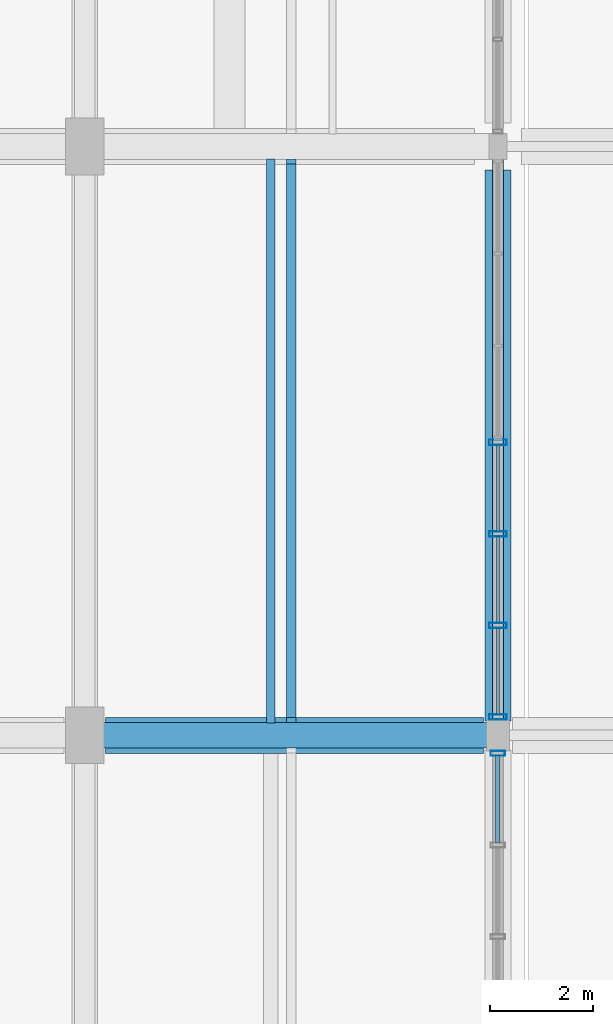
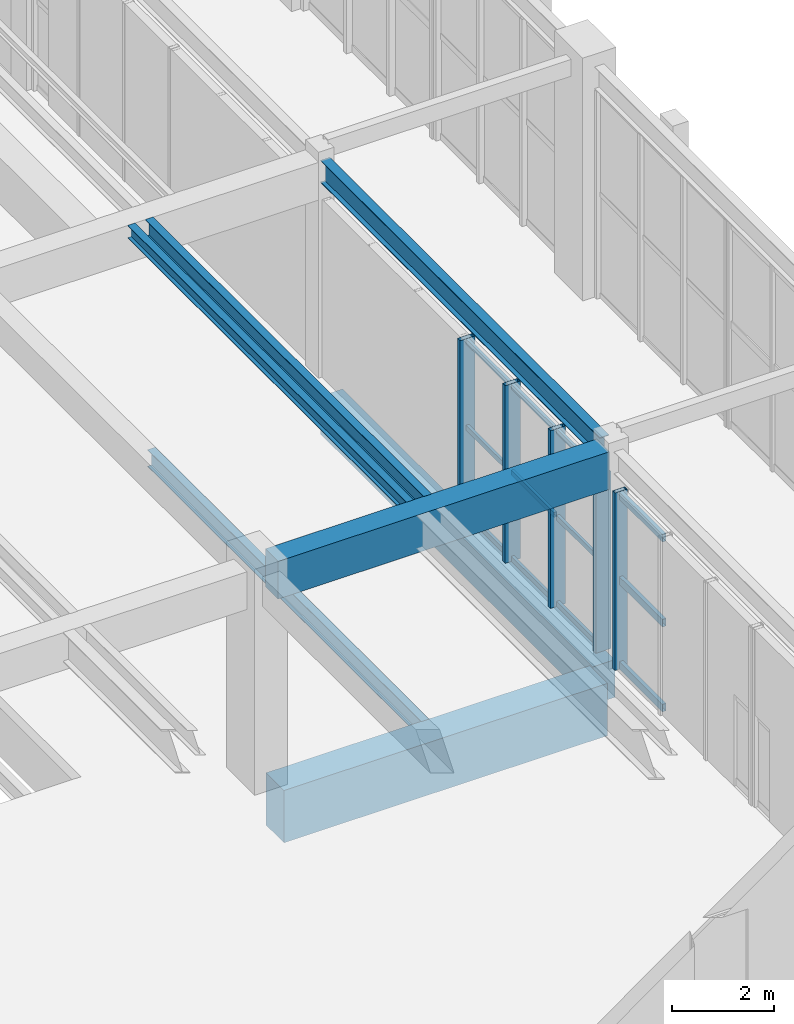
# One storey, part 34 of 113: 17 members, 7 beams, 2 elements without a shape of their own.
"""IFC4 building model written with IfcOpenShell, lengths in metres."""

import ifcopenshell
import ifcopenshell.guid

model = None  # the IFC model being written
_history = None  # IfcOwnerHistory: only IFC2X3 demands one
_inside = {}  # id of a spatial element -> (the spatial element, [elements in it])
_under = {}  # id of a project, library or spatial element -> (it, [spatial elements below it])
_declared = {}  # id of a project -> (the project, [libraries it declares])
_typed = {}  # id of a type object -> (the type object, [elements of that type])
_made_of = {}  # id of a material, layer set ... -> (it, [elements and type objects made of it])


def new_model(schema):
    """Start an empty IFC model of exactly this schema.

    Asked for "IFC4X3", IfcOpenShell would pick the latest addendum, in which some entities
    have other attributes; the version numbers below select the first issue.
    IFC2X3 requires an IfcOwnerHistory on every rooted entity: one is made here for all.
    """
    global model, _history
    if schema == "IFC4X3":
        model = ifcopenshell.file(schema_version=(4, 3, 0, 0))
    else:
        model = ifcopenshell.file(schema=schema)
    _inside.clear()
    _under.clear()
    _declared.clear()
    _typed.clear()
    _made_of.clear()
    _history = None
    if model.schema == "IFC2X3":
        org = make("IfcOrganization", Name="unknown")
        user = make(
            "IfcPersonAndOrganization",
            ThePerson=make("IfcPerson", FamilyName="unknown"),
            TheOrganization=org,
        )
        app = make(
            "IfcApplication",
            ApplicationDeveloper=org,
            Version="unknown",
            ApplicationFullName="unknown",
            ApplicationIdentifier="unknown",
        )
        _history = make(
            "IfcOwnerHistory",
            OwningUser=user,
            OwningApplication=app,
            ChangeAction="ADDED",
            CreationDate=0,
        )
    return model


def make(cls, **values):
    """One entity of the class cls with the attributes given. An attribute that is None is left unset."""
    return model.create_entity(
        cls, **{name: value for name, value in values.items() if value is not None}
    )


def rooted(cls, **values):
    """An entity with a GlobalId (a new one), such as an element, a storey or a relation."""
    return make(cls, GlobalId=ifcopenshell.guid.new(), OwnerHistory=_history, **values)


def si_unit(unit_type, name, prefix=None):
    """IfcSIUnit, for example si_unit("LENGTHUNIT", "METRE", prefix="MILLI")."""
    return make("IfcSIUnit", UnitType=unit_type, Prefix=prefix, Name=name)


def assignment(units):
    """IfcUnitAssignment: the units of a project."""
    return None if units is None else make("IfcUnitAssignment", Units=units)


def point(xyz):
    """IfcCartesianPoint."""
    return None if xyz is None else make("IfcCartesianPoint", Coordinates=xyz)


def direction(xyz):
    """IfcDirection."""
    return None if xyz is None else make("IfcDirection", DirectionRatios=xyz)


def frame(location, z_axis=None, x_axis=None):
    """IfcAxis2Placement3D, a coordinate frame: its origin and axes. An axis left out is left unset."""
    return make(
        "IfcAxis2Placement3D",
        Location=point(location),
        Axis=direction(z_axis),
        RefDirection=direction(x_axis),
    )


def frame_2d(location, x_axis=None):
    """IfcAxis2Placement2D, a coordinate frame in the plane: its origin and x axis."""
    return make(
        "IfcAxis2Placement2D", Location=point(location), RefDirection=direction(x_axis)
    )


def origin():
    """The frame at (0, 0, 0) with its axes left unset."""
    return frame((0.0, 0.0, 0.0))


def origin_2d():
    """The frame at (0, 0) in the plane with its x axis left unset."""
    return frame_2d((0.0, 0.0))


def place(relative_to, where):
    """IfcLocalPlacement: puts the frame where relative to a parent placement (None: the world)."""
    return make(
        "IfcLocalPlacement", PlacementRelTo=relative_to, RelativePlacement=where
    )


def context(
    kind, dimensions, precision=None, world=None, true_north=None, identifier=None
):
    """IfcGeometricRepresentationContext, for example the 3D "Model" context."""
    return make(
        "IfcGeometricRepresentationContext",
        ContextIdentifier=identifier,
        ContextType=kind,
        CoordinateSpaceDimension=dimensions,
        Precision=precision,
        WorldCoordinateSystem=world,
        TrueNorth=true_north,
    )


def subcontext(parent, identifier, kind, view, scale=None):
    """IfcGeometricRepresentationSubContext, for example "Body" below "Model"."""
    return make(
        "IfcGeometricRepresentationSubContext",
        ContextIdentifier=identifier,
        ContextType=kind,
        ParentContext=parent,
        TargetScale=scale,
        TargetView=view,
    )


def project(units=None, contexts=None):
    """IfcProject with its units and contexts."""
    return rooted(
        "IfcProject",
        Name="project",
        RepresentationContexts=contexts,
        UnitsInContext=assignment(units),
    )


def spatial(cls, under=None, at=None, **own):
    """A site, building, storey or space (cls), placed at a placement, below another one or the project."""
    s = rooted(cls, ObjectPlacement=at, **own)
    if under is not None:
        _under.setdefault(under.id(), (under, []))[1].append(s)
    return s


def profile(cls, at=None, kind="AREA", **sizes):
    """A parametric profile (cls). Its sizes go by their IFC names, for example OverallWidth=200.0."""
    return make(cls, ProfileType=kind, Position=at, **sizes)


def rectangle(**sizes):
    """IfcRectangleProfileDef."""
    return profile("IfcRectangleProfileDef", **sizes)


def hollow_rectangle(**sizes):
    """IfcRectangleHollowProfileDef."""
    return profile("IfcRectangleHollowProfileDef", **sizes)


def i_section(**sizes):
    """IfcIShapeProfileDef."""
    return profile("IfcIShapeProfileDef", **sizes)


def extrude(swept, where, along, depth):
    """IfcExtrudedAreaSolid: the profile swept, set in the frame where, extruded along a direction by depth."""
    return make(
        "IfcExtrudedAreaSolid",
        SweptArea=swept,
        Position=where,
        ExtrudedDirection=direction(along),
        Depth=depth,
    )


def shape(context_of_items, identifier, shape_type, items):
    """IfcShapeRepresentation: the items that make up one representation, for example the "Body"."""
    return make(
        "IfcShapeRepresentation",
        ContextOfItems=context_of_items,
        RepresentationIdentifier=identifier,
        RepresentationType=shape_type,
        Items=items,
    )


def material(Name=None, Category=None):
    """IfcMaterial."""
    return make("IfcMaterial", Name=Name, Category=Category)


def layer(
    of_material, thickness, ventilated=None, Name=None, Category=None, Priority=None
):
    """IfcMaterialLayer: one layer of a wall or slab, of a material (None: an air gap)."""
    return make(
        "IfcMaterialLayer",
        Material=of_material,
        LayerThickness=thickness,
        IsVentilated=ventilated,
        Name=Name,
        Category=Category,
        Priority=Priority,
    )


def layer_set(layers, Name=None):
    """IfcMaterialLayerSet."""
    return make("IfcMaterialLayerSet", MaterialLayers=layers, LayerSetName=Name)


def material_profile(
    of_material, cross_section, Name=None, Category=None, Priority=None
):
    """IfcMaterialProfile: a cross section and its material."""
    return make(
        "IfcMaterialProfile",
        Name=Name,
        Material=of_material,
        Profile=cross_section,
        Priority=Priority,
        Category=Category,
    )


def profile_set(profiles, Name=None, composite=None):
    """IfcMaterialProfileSet."""
    return make(
        "IfcMaterialProfileSet",
        Name=Name,
        MaterialProfiles=profiles,
        CompositeProfile=composite,
    )


def made_of(thing, what):
    """Note that an element or type object is made of a material, layer set ...; save() writes the relation."""
    if what is not None:
        _made_of.setdefault(what.id(), (what, []))[1].append(thing)
    return thing


def type_object(cls, material=None, **own):
    """A type object (cls), such as IfcWallType, which elements share."""
    return made_of(rooted(cls, **own), material)


def element(
    cls,
    number,
    at=None,
    inside=None,
    cuts=None,
    type_object=None,
    material=None,
    context=None,
    identifier="Body",
    shape_type=None,
    held_by="IfcProductDefinitionShape",
    body=None,
    shapes=None,
    **own,
):
    """One element of the class cls, such as IfcWall. Its Tag is "e" and its number.

    at: its placement. inside: the storey or other place that contains it. cuts: it is an
    opening in that element (IfcRelVoidsElement). A single representation is given by context,
    identifier, shape_type and body (its items); several are given by shapes. held_by: the class
    of the entity that holds the representations. save() writes the other relations.
    """
    e = rooted(cls, Tag="e%d" % number, ObjectPlacement=at, **own)
    if body is not None:
        shapes = [shape(context, identifier, shape_type, body)]
    if shapes is not None:
        e.Representation = make(held_by, Representations=shapes)
    if inside is not None:
        _inside.setdefault(inside.id(), (inside, []))[1].append(e)
    if cuts is not None:
        rooted(
            "IfcRelVoidsElement", RelatingBuildingElement=cuts, RelatedOpeningElement=e
        )
    if type_object is not None:
        _typed.setdefault(type_object.id(), (type_object, []))[1].append(e)
    return made_of(e, material)


def aggregate(whole, parts):
    """IfcRelAggregates: a whole, such as a stair, and the parts it consists of."""
    return rooted("IfcRelAggregates", RelatingObject=whole, RelatedObjects=parts)


def save(model, path):
    """Write the relations noted so far, then the file.

    IfcRelAggregates (storeys below a building ...), IfcRelContainedInSpatialStructure (elements
    in a storey), IfcRelDefinesByType, IfcRelAssociatesMaterial and IfcRelDeclares: one each for
    every whole, place, type object, material and project.
    """
    for whole, parts in _under.values():
        aggregate(whole, parts)
    for where, things in _inside.values():
        rooted(
            "IfcRelContainedInSpatialStructure",
            RelatedElements=things,
            RelatingStructure=where,
        )
    for kind, things in _typed.values():
        rooted("IfcRelDefinesByType", RelatedObjects=things, RelatingType=kind)
    for what, things in _made_of.values():
        rooted("IfcRelAssociatesMaterial", RelatedObjects=things, RelatingMaterial=what)
    for by, libraries in _declared.values():
        rooted("IfcRelDeclares", RelatingContext=by, RelatedDefinitions=libraries)
    model.write(path)


model = new_model("IFC4")

# Units and contexts
model_context = context("Model", 3, precision=1e-05, world=origin(), true_north=direction((0.0, 1.0)))
body_context = subcontext(model_context, "Body", "Model", "MODEL_VIEW")
ifc_project = project(units=[si_unit("LENGTHUNIT", "METRE"), si_unit("AREAUNIT", "SQUARE_METRE"), si_unit("VOLUMEUNIT", "CUBIC_METRE"), si_unit("PLANEANGLEUNIT", "RADIAN"), si_unit("MASSUNIT", "GRAM", prefix="KILO"), si_unit("POWERUNIT", "WATT"), si_unit("THERMODYNAMICTEMPERATUREUNIT", "KELVIN")], contexts=[model_context])

# Site, building, storey
site_placement = place(None, origin())
site = spatial("IfcSite", under=ifc_project, at=site_placement, CompositionType="ELEMENT")
building_placement = place(site_placement, origin())
building = spatial("IfcBuilding", under=site, at=building_placement, Name="Kelmbourne Parkland Aquatics Centre", CompositionType="ELEMENT")
storey_placement = place(building_placement, origin())
storey = spatial("IfcBuildingStorey", under=building, at=storey_placement, Name="L00", CompositionType="ELEMENT", Elevation=0.0)

# Beams
ifc_material_1 = material(Name="Concrete C40/50", Category="concrete")
ifc_material_profile_1 = material_profile(ifc_material_1, rectangle(XDim=0.5, YDim=0.89990234375, at=origin_2d()), Name="RC 500x900")
ifc_profile_set_1 = profile_set([ifc_material_profile_1], Name="Concrete C40/50")
beam_type_1 = type_object("IfcBeamType", Name="BM-G03", PredefinedType="BEAM", material=ifc_profile_set_1)
beam_1_placement = place(storey_placement, frame((40.0, 58.080078125, -0.72998046875), z_axis=(0.0, 1.0, 0.0), x_axis=(-1.0, 0.0, 0.0)))
element("IfcBeam", 1, at=beam_1_placement, inside=storey, type_object=beam_type_1, Name="Primary girder 08-10 Grid F (L00)", PredefinedType="BEAM", context=body_context, shape_type="SweptSolid", body=[
    extrude(rectangle(XDim=0.5, YDim=0.89990234375, at=origin_2d()), origin(), (0.0, 0.0, 1.0), 10.6650390625),
])
beam_2_placement = place(storey_placement, frame((32.330078125, 57.800048828125, 4.7099609375), z_axis=(1.0, 0.0, 0.0), x_axis=(0.0, 1.0, 0.0)))
element("IfcBeam", 2, at=beam_2_placement, inside=storey, type_object=beam_type_1, Name="Primary girder E-F Grid 08 (L01)", PredefinedType="BEAM", context=body_context, shape_type="SweptSolid", body=[
    extrude(rectangle(XDim=0.5, YDim=0.89990234375, at=origin_2d()), origin(), (0.0, 0.0, 1.0), 7.489990234375),
])
ifc_material_2 = material(Name="Concrete C50/60", Category="concrete")
ifc_material_profile_2 = material_profile(ifc_material_2, rectangle(XDim=0.699951171875, YDim=1.25, at=origin_2d()), Name="RC 700x1250")
ifc_profile_set_2 = profile_set([ifc_material_profile_2], Name="Concrete C50/60")
beam_type_2 = type_object("IfcBeamType", Name="BM-G08", PredefinedType="BEAM", material=ifc_profile_set_2)
beam_3_placement = place(storey_placement, frame((32.405029296875, 57.800048828125, -0.905029296875), z_axis=(1.0, 0.0, 0.0), x_axis=(0.0, 1.0, 0.0)))
element("IfcBeam", 3, at=beam_3_placement, inside=storey, type_object=beam_type_2, Name="Primary girder E-F Grid 08 (L00)", PredefinedType="BEAM", context=body_context, shape_type="SweptSolid", body=[
    extrude(rectangle(XDim=0.699951171875, YDim=1.25, at=origin_2d()), origin(), (0.0, 0.0, 1.0), 7.31494140625),
])
ifc_material_3 = material(Name="Structural steel AS/NZS 3679.1 Grade 300", Category="steel")
ifc_material_profile_3 = material_profile(ifc_material_3, i_section(OverallWidth=0.177978515625, OverallDepth=0.406005859375, WebThickness=0.0078125, FlangeThickness=0.0126953125, at=origin_2d()), Name="410UB59.7")
ifc_profile_set_3 = profile_set([ifc_material_profile_3], Name="Structural steel AS/NZS 3679.1 Grade 300")
beam_type_3 = type_object("IfcBeamType", Name="BM-J01", PredefinedType="JOIST", material=ifc_profile_set_3)
beam_4_placement = place(storey_placement, frame((36.0, 58.14208984375, -0.48291015625), z_axis=(0.0, 1.0, 0.0), x_axis=(-1.0, 0.0, 0.0)))
element("IfcBeam", 4, at=beam_4_placement, inside=storey, type_object=beam_type_3, Name="Secondary floor joist E-F/08-10 #1 (L00)", PredefinedType="JOIST", context=body_context, shape_type="SweptSolid", body=[
    extrude(i_section(OverallWidth=0.177978515625, OverallDepth=0.406005859375, WebThickness=0.0078125, FlangeThickness=0.0126953125, at=origin_2d()), origin(), (0.0, 0.0, 1.0), 10.7158203125),
])
beam_5_placement = place(storey_placement, frame((36.0, 58.0419921875, 4.95703125), z_axis=(0.0, 1.0, 0.0), x_axis=(-1.0, 0.0, 0.0)))
element("IfcBeam", 5, at=beam_5_placement, inside=storey, type_object=beam_type_3, Name="Secondary floor joist E-F/08-10 #1 (L01)", PredefinedType="JOIST", context=body_context, shape_type="SweptSolid", body=[
    extrude(i_section(OverallWidth=0.177978515625, OverallDepth=0.406005859375, WebThickness=0.0078125, FlangeThickness=0.0126953125, at=origin_2d()), origin(), (0.0, 0.0, 1.0), 10.916015625),
])
ifc_material_profile_4 = material_profile(ifc_material_3, i_section(OverallWidth=0.166015625, OverallDepth=0.306884765625, WebThickness=0.006591796875, FlangeThickness=0.01171875, at=origin_2d()), Name="310UB46.2")
ifc_profile_set_4 = profile_set([ifc_material_profile_4], Name="Structural steel AS/NZS 3679.1 Grade 300")
beam_type_4 = type_object("IfcBeamType", Name="BM-J04", PredefinedType="JOIST", material=ifc_profile_set_4)
beam_6_placement = place(storey_placement, frame((35.60009765625, 58.0419921875, 5.006591796875), z_axis=(0.0, 1.0, 0.0), x_axis=(-1.0, 0.0, 0.0)))
element("IfcBeam", 6, at=beam_6_placement, inside=storey, type_object=beam_type_4, Name="Deck secondary trim beam 13", PredefinedType="JOIST", context=body_context, shape_type="SweptSolid", body=[
    extrude(i_section(OverallWidth=0.166015625, OverallDepth=0.306884765625, WebThickness=0.006591796875, FlangeThickness=0.01171875, at=origin_2d()), origin(), (0.0, 0.0, 1.0), 10.916015625),
])
ifc_material_profile_5 = material_profile(ifc_material_3, i_section(OverallWidth=0.208984375, OverallDepth=0.532958984375, WebThickness=0.01025390625, FlangeThickness=0.015625, at=origin_2d()), Name="530UB92.4")
ifc_profile_set_5 = profile_set([ifc_material_profile_5], Name="Structural steel AS/NZS 3679.1 Grade 300")
beam_type_5 = type_object("IfcBeamType", Name="BM-SP02", PredefinedType="SPANDREL", material=ifc_profile_set_5)
beam_7_placement = place(storey_placement, frame((40.0, 58.054931640625, 4.8935546875), z_axis=(0.0, 1.0, 0.0), x_axis=(-1.0, 0.0, 0.0)))
element("IfcBeam", 7, at=beam_7_placement, inside=storey, type_object=beam_type_5, Name="Perimeter spandrel 08-10 Grid F (L01)", PredefinedType="SPANDREL", context=body_context, shape_type="SweptSolid", body=[
    extrude(i_section(OverallWidth=0.208984375, OverallDepth=0.532958984375, WebThickness=0.01025390625, FlangeThickness=0.015625, at=origin_2d()), origin(), (0.0, 0.0, 1.0), 10.940185546875),
])

# Curtain wall, member
ifc_material_4 = material(Name="Thermally broken anodised aluminium framing", Category="aluminium")
ifc_layer_1 = layer(ifc_material_4, 0.179931640625)
ifc_layer_set_1 = layer_set([ifc_layer_1], Name="Thermally broken anodised aluminium framing")
curtain_wall_type_1 = type_object("IfcCurtainWallType", Name="CW-02", PredefinedType="NOTDEFINED", material=ifc_layer_set_1)
curtain_wall_1_placement = place(storey_placement, origin())
curtain_wall_1 = element("IfcCurtainWall", 8, at=curtain_wall_1_placement, inside=storey, type_object=curtain_wall_type_1, Name="Facade curtain wall CW-L00-218", PredefinedType="NOTDEFINED")
ifc_material_profile_6 = material_profile(ifc_material_4, hollow_rectangle(XDim=0.094970703125, YDim=0.280029296875, WallThickness=0.005615234375, at=origin_2d()), Name="CW-M 95x280")
ifc_profile_set_6 = profile_set([ifc_material_profile_6], Name="Thermally broken anodised aluminium framing")
member_type_1 = type_object("IfcMemberType", Name="MB-MUL-4", PredefinedType="MULLION", material=ifc_profile_set_6)
member_1_placement = place(storey_placement, frame((40.0, 57.450439453125, 0.0), z_axis=(0.0, 0.0, 1.0), x_axis=(0.0, 1.0, 0.0)))
member_1 = element("IfcMember", 9, at=member_1_placement, type_object=member_type_1, Name="CW-L00-218 mullion 3", PredefinedType="MULLION", context=body_context, shape_type="SweptSolid", body=[
    extrude(hollow_rectangle(XDim=0.094970703125, YDim=0.280029296875, WallThickness=0.005615234375, at=origin_2d()), origin(), (0.0, 0.0, 1.0), 4.2451171875),
])

# Curtain wall, members
ifc_layer_2 = layer(ifc_material_4, 0.179931640625)
ifc_layer_set_2 = layer_set([ifc_layer_2], Name="Thermally broken anodised aluminium framing")
curtain_wall_type_2 = type_object("IfcCurtainWallType", Name="CW-03", PredefinedType="NOTDEFINED", material=ifc_layer_set_2)
curtain_wall_2_placement = place(storey_placement, origin())
curtain_wall_2 = element("IfcCurtainWall", 10, at=curtain_wall_2_placement, inside=storey, type_object=curtain_wall_type_2, Name="Facade curtain wall CW-L00-219", PredefinedType="NOTDEFINED")
ifc_material_profile_7 = material_profile(ifc_material_4, hollow_rectangle(XDim=0.10498046875, YDim=0.340087890625, WallThickness=0.006103515625, at=origin_2d()), Name="CW-M 105x340")
ifc_profile_set_7 = profile_set([ifc_material_profile_7], Name="Thermally broken anodised aluminium framing")
member_type_2 = type_object("IfcMemberType", Name="MB-MUL-5", PredefinedType="MULLION", material=ifc_profile_set_7)
member_2_placement = place(storey_placement, frame((40.0, 58.154541015625, 0.0), z_axis=(0.0, 0.0, 1.0), x_axis=(0.0, 1.0, 0.0)))
member_2 = element("IfcMember", 11, at=member_2_placement, type_object=member_type_2, Name="CW-L00-219 mullion 0", PredefinedType="MULLION", context=body_context, shape_type="SweptSolid", body=[
    extrude(hollow_rectangle(XDim=0.10498046875, YDim=0.340087890625, WallThickness=0.006103515625, at=origin_2d()), origin(), (0.0, 0.0, 1.0), 4.2451171875),
])
member_3_placement = place(storey_placement, frame((40.0, 59.92724609375, 0.0), z_axis=(0.0, 0.0, 1.0), x_axis=(0.0, 1.0, 0.0)))
member_3 = element("IfcMember", 12, at=member_3_placement, type_object=member_type_2, Name="CW-L00-219 mullion 1", PredefinedType="MULLION", context=body_context, shape_type="SweptSolid", body=[
    extrude(hollow_rectangle(XDim=0.10498046875, YDim=0.340087890625, WallThickness=0.006103515625, at=origin_2d()), origin(), (0.0, 0.0, 1.0), 4.2451171875),
])
member_4_placement = place(storey_placement, frame((40.0, 61.69970703125, 0.0), z_axis=(0.0, 0.0, 1.0), x_axis=(0.0, 1.0, 0.0)))
member_4 = element("IfcMember", 13, at=member_4_placement, type_object=member_type_2, Name="CW-L00-219 mullion 2", PredefinedType="MULLION", context=body_context, shape_type="SweptSolid", body=[
    extrude(hollow_rectangle(XDim=0.10498046875, YDim=0.340087890625, WallThickness=0.006103515625, at=origin_2d()), origin(), (0.0, 0.0, 1.0), 4.2451171875),
])
member_5_placement = place(storey_placement, frame((40.0, 63.472412109375, 0.0), z_axis=(0.0, 0.0, 1.0), x_axis=(0.0, 1.0, 0.0)))
member_5 = element("IfcMember", 14, at=member_5_placement, type_object=member_type_2, Name="CW-L00-219 mullion 3", PredefinedType="MULLION", context=body_context, shape_type="SweptSolid", body=[
    extrude(hollow_rectangle(XDim=0.10498046875, YDim=0.340087890625, WallThickness=0.006103515625, at=origin_2d()), origin(), (0.0, 0.0, 1.0), 4.2451171875),
])
ifc_material_profile_8 = material_profile(ifc_material_4, hollow_rectangle(XDim=0.06494140625, YDim=0.1201171875, WallThickness=0.00341796875, at=origin_2d()), Name="CW-T 65x120")
ifc_profile_set_8 = profile_set([ifc_material_profile_8], Name="Thermally broken anodised aluminium framing")
member_type_3 = type_object("IfcMemberType", Name="MB-TRN-1", PredefinedType="USERDEFINED", material=ifc_profile_set_8)
member_6_placement = place(storey_placement, frame((40.0, 58.202880859375, 0.06298828125), z_axis=(0.0, 1.0, 0.0), x_axis=(-1.0, 0.0, 0.0)))
member_6 = element("IfcMember", 15, at=member_6_placement, type_object=member_type_3, Name="CW-L00-219 transom 0-0", ObjectType="TRANSOM", PredefinedType="USERDEFINED", context=body_context, shape_type="SweptSolid", body=[
    extrude(hollow_rectangle(XDim=0.06494140625, YDim=0.1201171875, WallThickness=0.00341796875, at=origin_2d()), origin(), (0.0, 0.0, 1.0), 1.67578125),
])
member_7_placement = place(storey_placement, frame((40.0, 59.9755859375, 0.06298828125), z_axis=(0.0, 1.0, 0.0), x_axis=(-1.0, 0.0, 0.0)))
member_7 = element("IfcMember", 16, at=member_7_placement, type_object=member_type_3, Name="CW-L00-219 transom 0-1", ObjectType="TRANSOM", PredefinedType="USERDEFINED", context=body_context, shape_type="SweptSolid", body=[
    extrude(hollow_rectangle(XDim=0.06494140625, YDim=0.1201171875, WallThickness=0.00341796875, at=origin_2d()), origin(), (0.0, 0.0, 1.0), 1.67578125),
])
member_8_placement = place(storey_placement, frame((40.0, 61.748291015625, 0.06298828125), z_axis=(0.0, 1.0, 0.0), x_axis=(-1.0, 0.0, 0.0)))
member_8 = element("IfcMember", 17, at=member_8_placement, type_object=member_type_3, Name="CW-L00-219 transom 0-2", ObjectType="TRANSOM", PredefinedType="USERDEFINED", context=body_context, shape_type="SweptSolid", body=[
    extrude(hollow_rectangle(XDim=0.06494140625, YDim=0.1201171875, WallThickness=0.00341796875, at=origin_2d()), origin(), (0.0, 0.0, 1.0), 1.67578125),
])
member_9_placement = place(storey_placement, frame((40.0, 58.202880859375, 2.12255859375), z_axis=(0.0, 1.0, 0.0), x_axis=(-1.0, 0.0, 0.0)))
member_9 = element("IfcMember", 18, at=member_9_placement, type_object=member_type_3, Name="CW-L00-219 transom 1-0", ObjectType="TRANSOM", PredefinedType="USERDEFINED", context=body_context, shape_type="SweptSolid", body=[
    extrude(hollow_rectangle(XDim=0.06494140625, YDim=0.1201171875, WallThickness=0.00341796875, at=origin_2d()), origin(), (0.0, 0.0, 1.0), 1.67578125),
])
member_10_placement = place(storey_placement, frame((40.0, 59.9755859375, 2.12255859375), z_axis=(0.0, 1.0, 0.0), x_axis=(-1.0, 0.0, 0.0)))
member_10 = element("IfcMember", 19, at=member_10_placement, type_object=member_type_3, Name="CW-L00-219 transom 1-1", ObjectType="TRANSOM", PredefinedType="USERDEFINED", context=body_context, shape_type="SweptSolid", body=[
    extrude(hollow_rectangle(XDim=0.06494140625, YDim=0.1201171875, WallThickness=0.00341796875, at=origin_2d()), origin(), (0.0, 0.0, 1.0), 1.67578125),
])
member_11_placement = place(storey_placement, frame((40.0, 61.748291015625, 2.12255859375), z_axis=(0.0, 1.0, 0.0), x_axis=(-1.0, 0.0, 0.0)))
member_11 = element("IfcMember", 20, at=member_11_placement, type_object=member_type_3, Name="CW-L00-219 transom 1-2", ObjectType="TRANSOM", PredefinedType="USERDEFINED", context=body_context, shape_type="SweptSolid", body=[
    extrude(hollow_rectangle(XDim=0.06494140625, YDim=0.1201171875, WallThickness=0.00341796875, at=origin_2d()), origin(), (0.0, 0.0, 1.0), 1.67578125),
])
member_12_placement = place(storey_placement, frame((40.0, 58.202880859375, 4.181884765625), z_axis=(0.0, 1.0, 0.0), x_axis=(-1.0, 0.0, 0.0)))
member_12 = element("IfcMember", 21, at=member_12_placement, type_object=member_type_3, Name="CW-L00-219 transom 2-0", ObjectType="TRANSOM", PredefinedType="USERDEFINED", context=body_context, shape_type="SweptSolid", body=[
    extrude(hollow_rectangle(XDim=0.06494140625, YDim=0.1201171875, WallThickness=0.00341796875, at=origin_2d()), origin(), (0.0, 0.0, 1.0), 1.67578125),
])
member_13_placement = place(storey_placement, frame((40.0, 59.9755859375, 4.181884765625), z_axis=(0.0, 1.0, 0.0), x_axis=(-1.0, 0.0, 0.0)))
member_13 = element("IfcMember", 22, at=member_13_placement, type_object=member_type_3, Name="CW-L00-219 transom 2-1", ObjectType="TRANSOM", PredefinedType="USERDEFINED", context=body_context, shape_type="SweptSolid", body=[
    extrude(hollow_rectangle(XDim=0.06494140625, YDim=0.1201171875, WallThickness=0.00341796875, at=origin_2d()), origin(), (0.0, 0.0, 1.0), 1.67578125),
])
member_14_placement = place(storey_placement, frame((40.0, 61.748291015625, 4.181884765625), z_axis=(0.0, 1.0, 0.0), x_axis=(-1.0, 0.0, 0.0)))
member_14 = element("IfcMember", 23, at=member_14_placement, type_object=member_type_3, Name="CW-L00-219 transom 2-2", ObjectType="TRANSOM", PredefinedType="USERDEFINED", context=body_context, shape_type="SweptSolid", body=[
    extrude(hollow_rectangle(XDim=0.06494140625, YDim=0.1201171875, WallThickness=0.00341796875, at=origin_2d()), origin(), (0.0, 0.0, 1.0), 1.67578125),
])
aggregate(curtain_wall_2, [member_2, member_3, member_4, member_5, member_6, member_7, member_8, member_9, member_10, member_11, member_12, member_13, member_14])

# Member
ifc_material_profile_9 = material_profile(ifc_material_4, hollow_rectangle(XDim=0.0849609375, YDim=0.179931640625, WallThickness=0.00439453125, at=origin_2d()), Name="CW-T 85x180")
ifc_profile_set_9 = profile_set([ifc_material_profile_9], Name="Thermally broken anodised aluminium framing")
member_type_4 = type_object("IfcMemberType", Name="MB-TRN-3", PredefinedType="USERDEFINED", material=ifc_profile_set_9)
member_15_placement = place(storey_placement, frame((40.0, 55.718017578125, 0.093017578125), z_axis=(0.0, 1.0, 0.0), x_axis=(-1.0, 0.0, 0.0)))
member_15 = element("IfcMember", 24, at=member_15_placement, type_object=member_type_4, Name="CW-L00-218 transom 0-2", ObjectType="TRANSOM", PredefinedType="USERDEFINED", context=body_context, shape_type="SweptSolid", body=[
    extrude(hollow_rectangle(XDim=0.0849609375, YDim=0.179931640625, WallThickness=0.00439453125, at=origin_2d()), origin(), (0.0, 0.0, 1.0), 1.68896484375),
])

member_16_placement = place(storey_placement, frame((40.0, 55.718017578125, 2.12255859375), z_axis=(0.0, 1.0, 0.0), x_axis=(-1.0, 0.0, 0.0)))
member_16 = element("IfcMember", 25, at=member_16_placement, type_object=member_type_4, Name="CW-L00-218 transom 1-2", ObjectType="TRANSOM", PredefinedType="USERDEFINED", context=body_context, shape_type="SweptSolid", body=[
    extrude(hollow_rectangle(XDim=0.0849609375, YDim=0.179931640625, WallThickness=0.00439453125, at=origin_2d()), origin(), (0.0, 0.0, 1.0), 1.68896484375),
])

member_17_placement = place(storey_placement, frame((40.0, 55.718017578125, 4.152099609375), z_axis=(0.0, 1.0, 0.0), x_axis=(-1.0, 0.0, 0.0)))
member_17 = element("IfcMember", 26, at=member_17_placement, type_object=member_type_4, Name="CW-L00-218 transom 2-2", ObjectType="TRANSOM", PredefinedType="USERDEFINED", context=body_context, shape_type="SweptSolid", body=[
    extrude(hollow_rectangle(XDim=0.0849609375, YDim=0.179931640625, WallThickness=0.00439453125, at=origin_2d()), origin(), (0.0, 0.0, 1.0), 1.68896484375),
])

aggregate(curtain_wall_1, [member_1, member_15, member_16, member_17])

save(model, "model.ifc")
